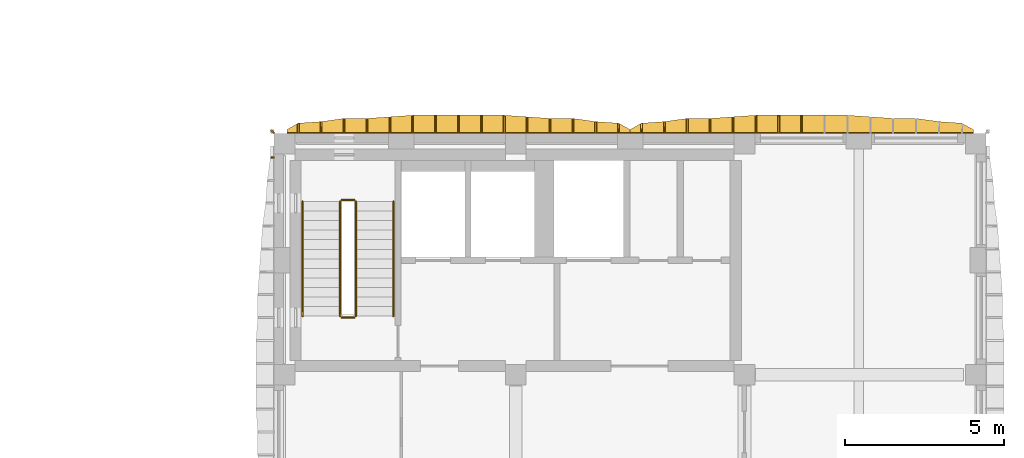
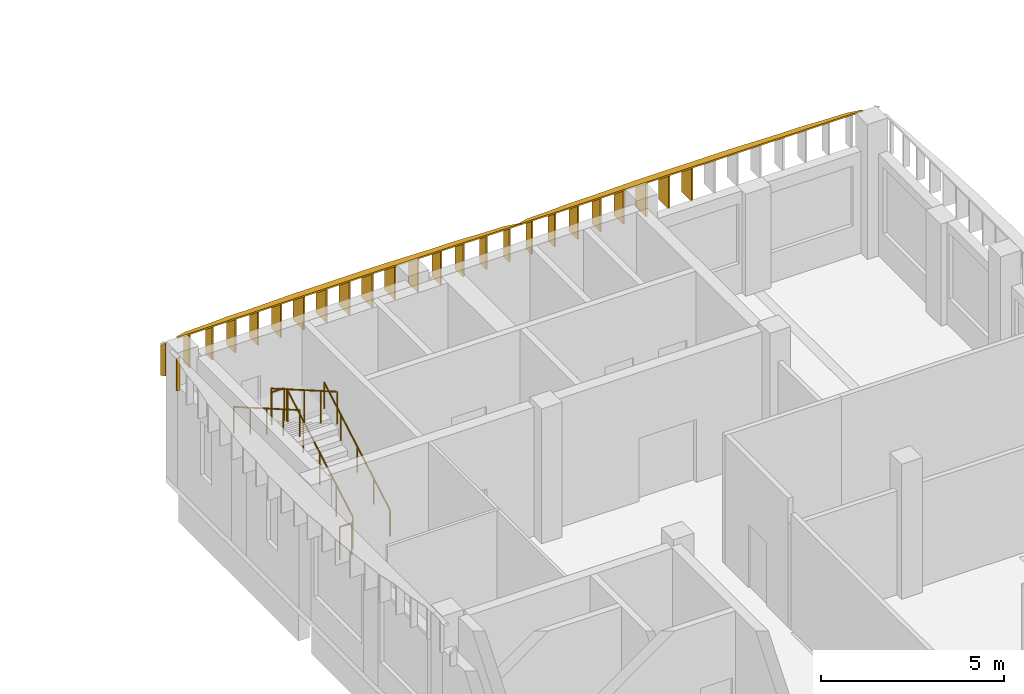
# One storey, part 25 of 30: 27 shading devices, 6 railings.
"""IFC4 building model written with IfcOpenShell, lengths in metres."""

from ifc_helpers import new_model, si_unit, direction, frame, origin, origin_2d, place, context, subcontext, project, spatial, polyline, circle, outline, extrude, material, layer, layer_set, type_object, element, save


model = new_model("IFC4")

# Units and contexts
model_context = context("Model", 3, precision=1e-05, world=origin(), true_north=direction((0.0, 1.0)))
body_context = subcontext(model_context, "Body", "Model", "MODEL_VIEW")
ifc_project = project(units=[si_unit("LENGTHUNIT", "METRE"), si_unit("AREAUNIT", "SQUARE_METRE"), si_unit("VOLUMEUNIT", "CUBIC_METRE"), si_unit("PLANEANGLEUNIT", "RADIAN"), si_unit("MASSUNIT", "GRAM", prefix="KILO")], contexts=[model_context])

# Site, building, storey
site_placement = place(None, origin())
site = spatial("IfcSite", under=ifc_project, at=site_placement, CompositionType="ELEMENT")
building_placement = place(site_placement, origin())
building = spatial("IfcBuilding", under=site, at=building_placement, Name="Ussher Court Research Institute", CompositionType="ELEMENT")
storey_placement = place(building_placement, frame((0.0, 0.0, 27.89990234375)))
storey = spatial("IfcBuildingStorey", under=building, at=storey_placement, Name="L06", CompositionType="ELEMENT", Elevation=27.89990234375)

# Shading devices
ifc_material_1 = material(Name="Bronze anodised aluminium", Category="aluminium")
ifc_layer_1 = layer(ifc_material_1, 0.050048828125)
ifc_layer_set_1 = layer_set([ifc_layer_1], Name="Bronze anodised aluminium")
shading_device_type_1 = type_object("IfcShadingDeviceType", Name="Brim blade 100 mm deep 1100 mm high canted 26 deg wet", PredefinedType="USERDEFINED", material=ifc_layer_set_1)
shading_device_1_placement = place(storey_placement, frame((81.800048828125, 32.43994140625, 3.35009765625), z_axis=(0.0, 0.0, 1.0), x_axis=(-1.0, 0.0, 0.0)))
element("IfcShadingDevice", 1, at=shading_device_1_placement, inside=storey, type_object=shading_device_type_1, Name="Brim blade BS10 L06", ObjectType="BLADE", PredefinedType="USERDEFINED", context=body_context, shape_type="SweptSolid", body=[
    extrude(outline(polyline([(0.0, 0.0), (0.10009765625, 0.0), (0.10009765625, 1.05126953125), (0.0, 1.10009765625), (0.0, 0.0)])), frame((0.0, 0.02490234375, 0.0), z_axis=(0.0, -1.0, 0.0), x_axis=(1.0, 0.0, 0.0)), (0.0, 0.0, 1.0), 0.050048828125),
])
ifc_material_2 = material(Name="Bronze anodised aluminium", Category="aluminium")
ifc_layer_2 = layer(ifc_material_2, 0.050048828125)
ifc_layer_set_2 = layer_set([ifc_layer_2], Name="Bronze anodised aluminium")
shading_device_type_2 = type_object("IfcShadingDeviceType", Name="Brim blade 300 mm deep 1100 mm high canted 26 deg wet", PredefinedType="USERDEFINED", material=ifc_layer_set_2)
for number, where, z_axis, x_axis, name in (
    (2, (82.56005859375, 33.199951171875, 3.35009765625), (0.0, 0.0, 1.0), (0.0, 1.0, 0.0), "Brim blade BS06 L06"),
    (3, (92.639892578125, 33.199951171875, 3.35009765625), (0.0, 0.0, 1.0), (0.0, 1.0, 0.0), "Brim blade BS06 L06"),
    (4, (93.360107421875, 33.199951171875, 3.35009765625), (0.0, 0.0, 1.0), (0.0, 1.0, 0.0), "Brim blade BS06 L06"),
):
    element("IfcShadingDevice", number, at=place(storey_placement, frame(where, z_axis=z_axis, x_axis=x_axis)), inside=storey, type_object=shading_device_type_2, Name=name, ObjectType="BLADE", PredefinedType="USERDEFINED", context=body_context, shape_type="SweptSolid", body=[
        extrude(outline(polyline([(0.0, 0.0), (0.300048828125, 0.0), (0.300048828125, 0.95361328125), (0.0, 1.10009765625), (0.0, 0.0)])), frame((0.0, 0.02490234375, 0.0), z_axis=(0.0, -1.0, 0.0), x_axis=(1.0, 0.0, 0.0)), (0.0, 0.0, 1.0), 0.050048828125),
    ])
ifc_material_3 = material(Name="Bronze anodised aluminium", Category="aluminium")
ifc_layer_3 = layer(ifc_material_3, 0.050048828125)
ifc_layer_set_3 = layer_set([ifc_layer_3], Name="Bronze anodised aluminium")
shading_device_type_3 = type_object("IfcShadingDeviceType", Name="Brim blade 350 mm deep 1100 mm high canted 26 deg wet", PredefinedType="USERDEFINED", material=ifc_layer_set_3)
for number, where, z_axis, x_axis, name in (
    (5, (83.280029296875, 33.199951171875, 3.35009765625), (0.0, 0.0, 1.0), (0.0, 1.0, 0.0), "Brim blade BS05 L06"),
    (6, (91.919921875, 33.199951171875, 3.35009765625), (0.0, 0.0, 1.0), (0.0, 1.0, 0.0), "Brim blade BS05 L06"),
    (7, (94.080078125, 33.199951171875, 3.35009765625), (0.0, 0.0, 1.0), (0.0, 1.0, 0.0), "Brim blade BS05 L06"),
):
    element("IfcShadingDevice", number, at=place(storey_placement, frame(where, z_axis=z_axis, x_axis=x_axis)), inside=storey, type_object=shading_device_type_3, Name=name, ObjectType="BLADE", PredefinedType="USERDEFINED", context=body_context, shape_type="SweptSolid", body=[
        extrude(outline(polyline([(0.0, 0.0), (0.35009765625, 0.0), (0.35009765625, 0.92919921875), (0.0, 1.10009765625), (0.0, 0.0)])), frame((0.0, 0.02490234375, 0.0), z_axis=(0.0, -1.0, 0.0), x_axis=(1.0, 0.0, 0.0)), (0.0, 0.0, 1.0), 0.050048828125),
    ])
ifc_material_4 = material(Name="Bronze anodised aluminium", Category="aluminium")
ifc_layer_4 = layer(ifc_material_4, 0.050048828125)
ifc_layer_set_4 = layer_set([ifc_layer_4], Name="Bronze anodised aluminium")
shading_device_type_4 = type_object("IfcShadingDeviceType", Name="Brim blade 450 mm deep 1100 mm high canted 26 deg wet", PredefinedType="USERDEFINED", material=ifc_layer_set_4)
for number, where, z_axis, x_axis, name in (
    (8, (84.0, 33.199951171875, 3.35009765625), (0.0, 0.0, 1.0), (0.0, 1.0, 0.0), "Brim blade BS03 L06"),
    (9, (84.719970703125, 33.199951171875, 3.35009765625), (0.0, 0.0, 1.0), (0.0, 1.0, 0.0), "Brim blade BS03 L06"),
    (10, (90.47998046875, 33.199951171875, 3.35009765625), (0.0, 0.0, 1.0), (0.0, 1.0, 0.0), "Brim blade BS03 L06"),
    (11, (91.199951171875, 33.199951171875, 3.35009765625), (0.0, 0.0, 1.0), (0.0, 1.0, 0.0), "Brim blade BS03 L06"),
    (12, (94.800048828125, 33.199951171875, 3.35009765625), (0.0, 0.0, 1.0), (0.0, 1.0, 0.0), "Brim blade BS03 L06"),
    (13, (95.52001953125, 33.199951171875, 3.35009765625), (0.0, 0.0, 1.0), (0.0, 1.0, 0.0), "Brim blade BS03 L06"),
):
    element("IfcShadingDevice", number, at=place(storey_placement, frame(where, z_axis=z_axis, x_axis=x_axis)), inside=storey, type_object=shading_device_type_4, Name=name, ObjectType="BLADE", PredefinedType="USERDEFINED", context=body_context, shape_type="SweptSolid", body=[
        extrude(outline(polyline([(0.0, 0.0), (0.449951171875, 0.0), (0.449951171875, 0.880615234375), (0.0, 1.10009765625), (0.0, 0.0)])), frame((0.0, 0.02490234375, 0.0), z_axis=(0.0, -1.0, 0.0), x_axis=(1.0, 0.0, 0.0)), (0.0, 0.0, 1.0), 0.050048828125),
    ])
ifc_material_5 = material(Name="Bronze anodised aluminium", Category="aluminium")
ifc_layer_5 = layer(ifc_material_5, 0.050048828125)
ifc_layer_set_5 = layer_set([ifc_layer_5], Name="Bronze anodised aluminium")
shading_device_type_5 = type_object("IfcShadingDeviceType", Name="Brim blade 500 mm deep 1100 mm high canted 26 deg wet", PredefinedType="USERDEFINED", material=ifc_layer_set_5)
for number, where, z_axis, x_axis, name in (
    (14, (85.43994140625, 33.199951171875, 3.35009765625), (0.0, 0.0, 1.0), (0.0, 1.0, 0.0), "Brim blade BS02 L06"),
    (15, (89.760009765625, 33.199951171875, 3.35009765625), (0.0, 0.0, 1.0), (0.0, 1.0, 0.0), "Brim blade BS02 L06"),
    (16, (96.239990234375, 33.199951171875, 3.35009765625), (0.0, 0.0, 1.0), (0.0, 1.0, 0.0), "Brim blade BS02 L06"),
):
    element("IfcShadingDevice", number, at=place(storey_placement, frame(where, z_axis=z_axis, x_axis=x_axis)), inside=storey, type_object=shading_device_type_5, Name=name, ObjectType="BLADE", PredefinedType="USERDEFINED", context=body_context, shape_type="SweptSolid", body=[
        extrude(outline(polyline([(0.0, 0.0), (0.5, 0.0), (0.5, 0.856201171875), (0.0, 1.10009765625), (0.0, 0.0)])), frame((0.0, 0.02490234375, 0.0), z_axis=(0.0, -1.0, 0.0), x_axis=(1.0, 0.0, 0.0)), (0.0, 0.0, 1.0), 0.050048828125),
    ])
ifc_material_6 = material(Name="Bronze anodised aluminium", Category="aluminium")
ifc_layer_6 = layer(ifc_material_6, 0.050048828125)
ifc_layer_set_6 = layer_set([ifc_layer_6], Name="Bronze anodised aluminium")
shading_device_type_6 = type_object("IfcShadingDeviceType", Name="Brim blade 550 mm deep 1100 mm high canted 26 deg wet", PredefinedType="USERDEFINED", material=ifc_layer_set_6)
for number, where, z_axis, x_axis, name in (
    (17, (86.159912109375, 33.199951171875, 3.35009765625), (0.0, 0.0, 1.0), (0.0, 1.0, 0.0), "Brim blade BS01 L06"),
    (18, (86.8798828125, 33.199951171875, 3.35009765625), (0.0, 0.0, 1.0), (0.0, 1.0, 0.0), "Brim blade BS01 L06"),
    (19, (87.60009765625, 33.199951171875, 3.35009765625), (0.0, 0.0, 1.0), (0.0, 1.0, 0.0), "Brim blade BS01 L06"),
    (20, (88.320068359375, 33.199951171875, 3.35009765625), (0.0, 0.0, 1.0), (0.0, 1.0, 0.0), "Brim blade BS01 L06"),
    (21, (89.0400390625, 33.199951171875, 3.35009765625), (0.0, 0.0, 1.0), (0.0, 1.0, 0.0), "Brim blade BS01 L06"),
    (22, (96.9599609375, 33.199951171875, 3.35009765625), (0.0, 0.0, 1.0), (0.0, 1.0, 0.0), "Brim blade BS01 L06"),
    (23, (97.679931640625, 33.199951171875, 3.35009765625), (0.0, 0.0, 1.0), (0.0, 1.0, 0.0), "Brim blade BS01 L06"),
    (24, (98.39990234375, 33.199951171875, 3.35009765625), (0.0, 0.0, 1.0), (0.0, 1.0, 0.0), "Brim blade BS01 L06"),
):
    element("IfcShadingDevice", number, at=place(storey_placement, frame(where, z_axis=z_axis, x_axis=x_axis)), inside=storey, type_object=shading_device_type_6, Name=name, ObjectType="BLADE", PredefinedType="USERDEFINED", context=body_context, shape_type="SweptSolid", body=[
        extrude(outline(polyline([(0.0, 0.0), (0.550048828125, 0.0), (0.550048828125, 0.831787109375), (0.0, 1.10009765625), (0.0, 0.0)])), frame((0.0, 0.02490234375, 0.0), z_axis=(0.0, -1.0, 0.0), x_axis=(1.0, 0.0, 0.0)), (0.0, 0.0, 1.0), 0.050048828125),
    ])
ifc_material_7 = material(Name="Bronze anodised aluminium", Category="aluminium")
ifc_layer_7 = layer(ifc_material_7, 0.050048828125)
ifc_layer_set_7 = layer_set([ifc_layer_7], Name="Bronze anodised aluminium")
shading_device_type_7 = type_object("IfcShadingDeviceType", Name="Brim mitre blade 100 mm deep 1100 mm high canted 26 deg wet", PredefinedType="USERDEFINED", material=ifc_layer_set_7)
shading_device_2_placement = place(storey_placement, frame((81.800048828125, 33.199951171875, 3.35009765625), z_axis=(0.0, 0.0, 1.0), x_axis=(-0.707106781187, 0.707106781187, 0.0)))
element("IfcShadingDevice", 25, at=shading_device_2_placement, inside=storey, type_object=shading_device_type_7, Name="Brim mitre blade BS18 L06", ObjectType="BLADE", PredefinedType="USERDEFINED", context=body_context, shape_type="SweptSolid", body=[
    extrude(outline(polyline([(0.0, 0.0), (0.1416015625, 0.0), (0.141357421875, 1.00244140625), (0.0, 1.10009765625), (0.0, 0.0)])), frame((0.0, 0.02490234375, 0.0), z_axis=(0.0, -1.0, 0.0), x_axis=(1.0, 0.0, 0.0)), (0.0, 0.0, 1.0), 0.050048828125),
])
ifc_material_8 = material(Name="Bronze anodised aluminium", Category="aluminium")
ifc_layer_8 = layer(ifc_material_8, 0.0400390625)
ifc_layer_set_8 = layer_set([ifc_layer_8], Name="Bronze anodised aluminium")
shading_device_type_8 = type_object("IfcShadingDeviceType", Name="Brim visor sheet 40 mm canted 26 deg wet", PredefinedType="USERDEFINED", material=ifc_layer_set_8)
shading_device_3_placement = place(storey_placement, frame((82.199951171875, 33.217529296875, 4.486083984375), z_axis=(0.0, 0.438493442835, 0.898734388232), x_axis=(1.0, 0.0, 0.0)))
element("IfcShadingDevice", 26, at=shading_device_3_placement, inside=storey, type_object=shading_device_type_8, Name="Brim visor sheet BR1 L06", ObjectType="BRIM", PredefinedType="USERDEFINED", context=body_context, shape_type="SweptSolid", body=[
    extrude(outline(polyline([(0.0, 0.0), (10.800048828125, 0.0), (10.800048828125, 0.11115260091647443), (10.43994140625, 0.3338966378999272), (9.719970703125, 0.3893632295705384), (9.0, 0.5006281939990725), (8.280029296875, 0.5006281939990725), (7.56005859375, 0.5563142032449357), (6.840087890625, 0.612000212490799), (6.1201171875, 0.612000212490799), (5.400146484375, 0.612000212490799), (4.679931640625, 0.612000212490799), (3.9599609375, 0.612000212490799), (3.239990234375, 0.5563142032449357), (2.52001953125, 0.5006281939990725), (1.800048828125, 0.5006281939990725), (1.080078125, 0.3893632295705384), (0.360107421875, 0.3338966378999272), (0.0, 0.11115260091647443), (0.0, 0.0)])), origin(), (0.0, 0.0, -1.0), 0.0400390625),
])
shading_device_4_placement = place(storey_placement, frame((93.0, 33.217529296875, 4.486083984375), z_axis=(0.0, 0.438493442835, 0.898734388232), x_axis=(1.0, 0.0, 0.0)))
element("IfcShadingDevice", 27, at=shading_device_4_placement, inside=storey, type_object=shading_device_type_8, Name="Brim visor sheet BR1 L06", ObjectType="BRIM", PredefinedType="USERDEFINED", context=body_context, shape_type="SweptSolid", body=[
    extrude(outline(polyline([(0.0, 0.0), (10.800048828125, 0.0), (10.800048828125, 0.11115260091647443), (10.43994140625, 0.3338966378999272), (9.719970703125, 0.3893632295705384), (9.0, 0.5006281939990725), (8.280029296875, 0.5006281939990725), (7.56005859375, 0.5563142032449357), (6.840087890625, 0.612000212490799), (6.1201171875, 0.612000212490799), (5.39990234375, 0.612000212490799), (4.679931640625, 0.612000212490799), (3.9599609375, 0.612000212490799), (3.239990234375, 0.5563142032449357), (2.52001953125, 0.5006281939990725), (1.800048828125, 0.5006281939990725), (1.080078125, 0.3893632295705384), (0.360107421875, 0.3338966378999272), (0.0, 0.11115260091647443), (0.0, 0.0)])), origin(), (0.0, 0.0, -1.0), 0.0400390625),
])

# Railings
ifc_material_9 = material(Name="Painted steel balustrade", Category="steel")
railing_type_1 = type_object("IfcRailingType", Name="Stair guard 1100 steel balustrade", PredefinedType="GUARDRAIL", material=ifc_material_9)
railing_1_placement = place(storey_placement, frame((84.3701171875, 27.449951171875, 0.173095703125)))
element("IfcRailing", 28, at=railing_1_placement, inside=storey, type_object=railing_type_1, Name="L06 T1 stair guard 1", PredefinedType="GUARDRAIL", context=body_context, shape_type="SweptSolid", body=[
    extrude(circle(Radius=0.02392578125, at=origin_2d()), frame((0.0, 0.0, 1.076171875), z_axis=(0.0, 0.866193409371, 0.499708892819), x_axis=(-1.0, 0.0, 0.0)), (0.0, 0.0, 1.0), 4.15625),
    extrude(circle(Radius=0.02099609375, at=origin_2d()), origin(), (0.0, 0.0, 1.0), 1.052001953125),
    extrude(circle(Radius=0.02099609375, at=origin_2d()), frame((0.0, 0.89990234375, 0.519287109375)), (0.0, 0.0, 1.0), 1.052001953125),
    extrude(circle(Radius=0.02099609375, at=origin_2d()), frame((0.0, 1.800048828125, 1.03857421875)), (0.0, 0.0, 1.0), 1.052001953125),
    extrude(circle(Radius=0.02099609375, at=origin_2d()), frame((0.0, 2.7001953125, 1.5576171875)), (0.0, 0.0, 1.0), 1.052001953125),
    extrude(circle(Radius=0.02099609375, at=origin_2d()), frame((0.0, 3.60009765625, 2.076904296875)), (0.0, 0.0, 1.0), 1.052001953125),
])
railing_2_placement = place(storey_placement, frame((84.320068359375, 31.10009765625, 2.25)))
element("IfcRailing", 29, at=railing_2_placement, inside=storey, type_object=railing_type_1, Name="L06 T1 stair guard 2", PredefinedType="GUARDRAIL", context=body_context, shape_type="SweptSolid", body=[
    extrude(circle(Radius=0.02392578125, at=origin_2d()), frame((0.0, 0.0, 1.076171875), z_axis=(-1.0, 0.0, 0.0), x_axis=(0.0, -1.0, 0.0)), (0.0, 0.0, 1.0), 0.39013671875),
    extrude(circle(Radius=0.02099609375, at=origin_2d()), origin(), (0.0, 0.0, 1.0), 1.052001953125),
    extrude(circle(Radius=0.02099609375, at=origin_2d()), frame((-0.39013671875, 0.0, 0.0)), (0.0, 0.0, 1.0), 1.052001953125),
])
railing_3_placement = place(storey_placement, frame((83.8798828125, 31.050048828125, 2.423095703125)))
element("IfcRailing", 30, at=railing_3_placement, inside=storey, type_object=railing_type_1, Name="L06 T1 stair guard 3", PredefinedType="GUARDRAIL", context=body_context, shape_type="SweptSolid", body=[
    extrude(circle(Radius=0.02392578125, at=origin_2d()), frame((0.0, 0.0, 1.076171875), z_axis=(0.0, -0.866193409371, 0.499708892819), x_axis=(1.0, 0.0, 0.0)), (0.0, 0.0, 1.0), 4.15625),
    extrude(circle(Radius=0.02099609375, at=origin_2d()), origin(), (0.0, 0.0, 1.0), 1.052001953125),
    extrude(circle(Radius=0.02099609375, at=origin_2d()), frame((0.0, -0.89990234375, 0.519287109375)), (0.0, 0.0, 1.0), 1.052001953125),
    extrude(circle(Radius=0.02099609375, at=origin_2d()), frame((0.0, -1.800048828125, 1.03857421875)), (0.0, 0.0, 1.0), 1.052001953125),
    extrude(circle(Radius=0.02099609375, at=origin_2d()), frame((0.0, -2.7001953125, 1.5576171875)), (0.0, 0.0, 1.0), 1.052001953125),
    extrude(circle(Radius=0.02099609375, at=origin_2d()), frame((0.0, -3.60009765625, 2.076904296875)), (0.0, 0.0, 1.0), 1.052001953125),
])
railing_4_placement = place(storey_placement, frame((84.320068359375, 27.39990234375, 0.0)))
element("IfcRailing", 31, at=railing_4_placement, inside=storey, type_object=railing_type_1, Name="L06 T1 stair guard 4", PredefinedType="GUARDRAIL", context=body_context, shape_type="SweptSolid", body=[
    extrude(circle(Radius=0.02392578125, at=origin_2d()), frame((0.0, 0.0, 1.076171875), z_axis=(-1.0, 0.0, 0.0), x_axis=(0.0, -1.0, 0.0)), (0.0, 0.0, 1.0), 0.39013671875),
    extrude(circle(Radius=0.02099609375, at=origin_2d()), origin(), (0.0, 0.0, 1.0), 1.052001953125),
    extrude(circle(Radius=0.02099609375, at=origin_2d()), frame((-0.39013671875, 0.0, 0.0)), (0.0, 0.0, 1.0), 1.052001953125),
])
ifc_material_10 = material(Name="Painted steel handrail", Category="steel")
railing_type_2 = type_object("IfcRailingType", Name="Stair handrail 900 steel", PredefinedType="HANDRAIL", material=ifc_material_10)
railing_5_placement = place(storey_placement, frame((85.550048828125, 27.449951171875, 0.173095703125)))
element("IfcRailing", 32, at=railing_5_placement, inside=storey, type_object=railing_type_2, Name="L06 T1 stair handrail 1", PredefinedType="HANDRAIL", context=body_context, shape_type="SweptSolid", body=[
    extrude(circle(Radius=0.02392578125, at=origin_2d()), frame((0.0, 0.0, 0.8759765625), z_axis=(0.0, 0.866193409371, 0.499708892819), x_axis=(-1.0, 0.0, 0.0)), (0.0, 0.0, 1.0), 4.15625),
    extrude(circle(Radius=0.02099609375, at=origin_2d()), origin(), (0.0, 0.0, 1.0), 0.851806640625),
    extrude(circle(Radius=0.02099609375, at=origin_2d()), frame((0.0, 0.89990234375, 0.519287109375)), (0.0, 0.0, 1.0), 0.851806640625),
    extrude(circle(Radius=0.02099609375, at=origin_2d()), frame((0.0, 1.800048828125, 1.03857421875)), (0.0, 0.0, 1.0), 0.851806640625),
    extrude(circle(Radius=0.02099609375, at=origin_2d()), frame((0.0, 2.7001953125, 1.5576171875)), (0.0, 0.0, 1.0), 0.851806640625),
    extrude(circle(Radius=0.02099609375, at=origin_2d()), frame((0.0, 3.60009765625, 2.076904296875)), (0.0, 0.0, 1.0), 0.851806640625),
])
railing_6_placement = place(storey_placement, frame((82.699951171875, 31.050048828125, 2.423095703125)))
element("IfcRailing", 33, at=railing_6_placement, inside=storey, type_object=railing_type_2, Name="L06 T1 stair handrail 2", PredefinedType="HANDRAIL", context=body_context, shape_type="SweptSolid", body=[
    extrude(circle(Radius=0.02392578125, at=origin_2d()), frame((0.0, 0.0, 0.8759765625), z_axis=(0.0, -0.866193409371, 0.499708892819), x_axis=(1.0, 0.0, 0.0)), (0.0, 0.0, 1.0), 4.15625),
    extrude(circle(Radius=0.02099609375, at=origin_2d()), origin(), (0.0, 0.0, 1.0), 0.851806640625),
    extrude(circle(Radius=0.02099609375, at=origin_2d()), frame((0.0, -0.89990234375, 0.519287109375)), (0.0, 0.0, 1.0), 0.851806640625),
    extrude(circle(Radius=0.02099609375, at=origin_2d()), frame((0.0, -1.800048828125, 1.03857421875)), (0.0, 0.0, 1.0), 0.851806640625),
    extrude(circle(Radius=0.02099609375, at=origin_2d()), frame((0.0, -2.7001953125, 1.5576171875)), (0.0, 0.0, 1.0), 0.851806640625),
    extrude(circle(Radius=0.02099609375, at=origin_2d()), frame((0.0, -3.60009765625, 2.076904296875)), (0.0, 0.0, 1.0), 0.851806640625),
])

save(model, "model.ifc")
